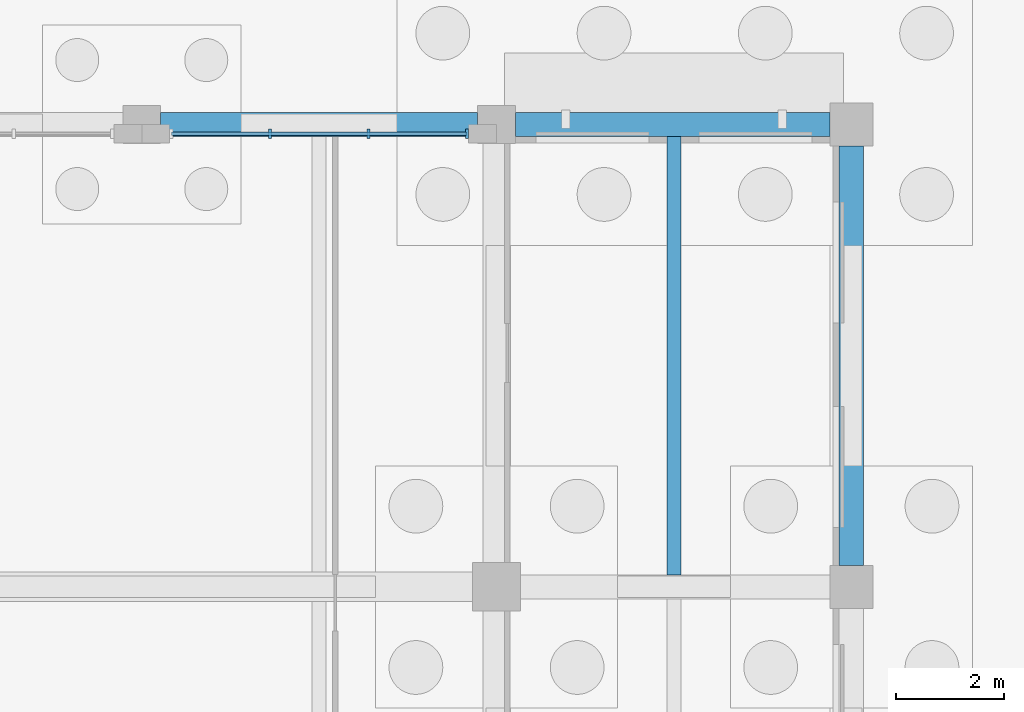
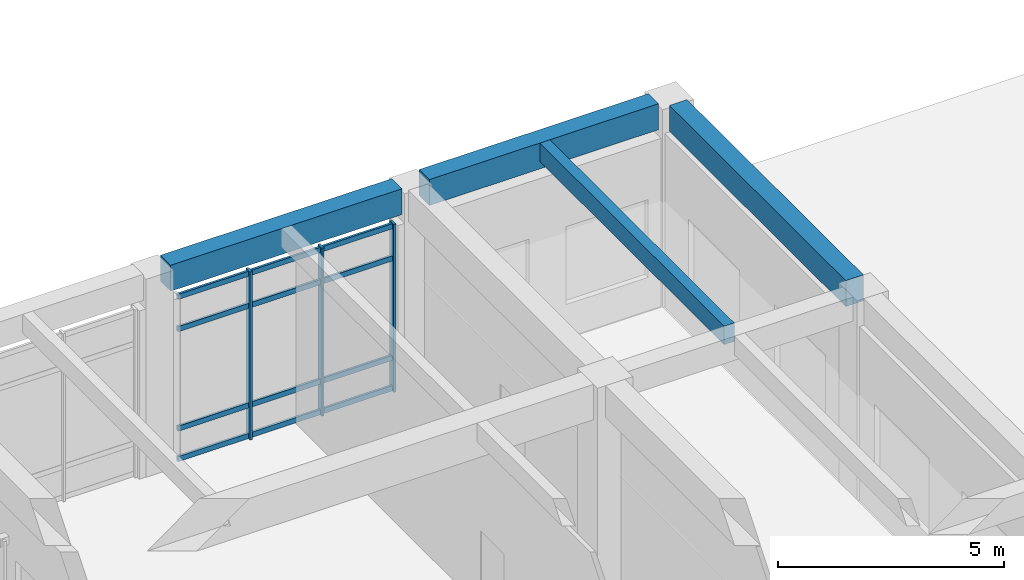
# One storey, part 39 of 82: 7 members, 4 beams, 1 element without a shape of its own.
"""IFC4 building model written with IfcOpenShell, lengths in metres."""

from ifc_helpers import new_model, si_unit, direction, frame, origin, origin_2d, place, context, subcontext, project, spatial, rectangle, extrude, material, layer, layer_set, material_profile, profile_set, type_object, element, aggregate, save


model = new_model("IFC4")

# Units and contexts
model_context = context("Model", 3, precision=1e-05, world=origin(), true_north=direction((0.0, 1.0)))
body_context = subcontext(model_context, "Body", "Model", "MODEL_VIEW")
ifc_project = project(units=[si_unit("LENGTHUNIT", "METRE"), si_unit("AREAUNIT", "SQUARE_METRE"), si_unit("VOLUMEUNIT", "CUBIC_METRE"), si_unit("PLANEANGLEUNIT", "RADIAN"), si_unit("MASSUNIT", "GRAM", prefix="KILO")], contexts=[model_context])

# Site, building, storey
site_placement = place(None, origin())
site = spatial("IfcSite", under=ifc_project, at=site_placement, CompositionType="ELEMENT")
building_placement = place(site_placement, origin())
building = spatial("IfcBuilding", under=site, at=building_placement, Name="Kolvaren Faculty of Natural Sciences", CompositionType="ELEMENT")
storey_placement = place(building_placement, origin())
storey = spatial("IfcBuildingStorey", under=building, at=storey_placement, Name="L00", CompositionType="ELEMENT", Elevation=0.0)

# Curtain wall, members
ifc_material_1 = material(Name="Thermally broken anodised aluminium framing", Category="aluminium")
ifc_layer = layer(ifc_material_1, 0.179931640625)
ifc_layer_set = layer_set([ifc_layer], Name="Thermally broken anodised aluminium framing")
curtain_wall_type = type_object("IfcCurtainWallType", Name="CommonsCurtainWall_CW02", PredefinedType="NOTDEFINED", material=ifc_layer_set)
curtain_wall_placement = place(storey_placement, origin())
curtain_wall = element("IfcCurtainWall", 1, at=curtain_wall_placement, inside=storey, type_object=curtain_wall_type, Name="L00 unitised curtain wall CW-02 (CW-L00-017)", PredefinedType="NOTDEFINED")
ifc_material_profile_1 = material_profile(ifc_material_1, rectangle(XDim=0.06005859375, YDim=0.179931640625, at=origin_2d()), Name="ALU MUL 60x180")
ifc_profile_set_1 = profile_set([ifc_material_profile_1], Name="Thermally broken anodised aluminium framing")
member_type_1 = type_object("IfcMemberType", Name="CurtainMullion_60x180", PredefinedType="MULLION", material=ifc_profile_set_1)
member_1_placement = place(storey_placement, frame((127.9833984375, 117.830078125, 0.0), z_axis=(0.0, 0.0, 1.0), x_axis=(1.0, 0.0, 0.0)))
member_1 = element("IfcMember", 2, at=member_1_placement, type_object=member_type_1, Name="CW-L00-017 vertical mullion 2", PredefinedType="MULLION", context=body_context, shape_type="SweptSolid", body=[
    extrude(rectangle(XDim=0.06005859375, YDim=0.179931640625, at=origin_2d()), origin(), (0.0, 0.0, 1.0), 4.534912109375),
])
member_2_placement = place(storey_placement, frame((129.816650390625, 117.830078125, 0.0), z_axis=(0.0, 0.0, 1.0), x_axis=(1.0, 0.0, 0.0)))
member_2 = element("IfcMember", 3, at=member_2_placement, type_object=member_type_1, Name="CW-L00-017 vertical mullion 3", PredefinedType="MULLION", context=body_context, shape_type="SweptSolid", body=[
    extrude(rectangle(XDim=0.06005859375, YDim=0.179931640625, at=origin_2d()), origin(), (0.0, 0.0, 1.0), 4.534912109375),
])
member_3_placement = place(storey_placement, frame((131.64990234375, 117.830078125, 0.0), z_axis=(0.0, 0.0, 1.0), x_axis=(1.0, 0.0, 0.0)))
member_3 = element("IfcMember", 4, at=member_3_placement, type_object=member_type_1, Name="CW-L00-017 vertical mullion 4", PredefinedType="MULLION", context=body_context, shape_type="SweptSolid", body=[
    extrude(rectangle(XDim=0.06005859375, YDim=0.179931640625, at=origin_2d()), origin(), (0.0, 0.0, 1.0), 4.534912109375),
])
ifc_material_profile_2 = material_profile(ifc_material_1, rectangle(XDim=0.06005859375, YDim=0.139892578125, at=origin_2d()), Name="ALU TRN 60x140")
ifc_profile_set_2 = profile_set([ifc_material_profile_2], Name="Thermally broken anodised aluminium framing")
member_type_2 = type_object("IfcMemberType", Name="CurtainTransom_60x140", PredefinedType="USERDEFINED", material=ifc_profile_set_2)
member_4_placement = place(storey_placement, frame((126.14990234375, 117.830078125, 0.080078125), z_axis=(1.0, 0.0, 0.0), x_axis=(0.0, 1.0, 0.0)))
member_4 = element("IfcMember", 5, at=member_4_placement, type_object=member_type_2, Name="CW-L00-017 horizontal transom 1", ObjectType="TRANSOM", PredefinedType="USERDEFINED", context=body_context, shape_type="SweptSolid", body=[
    extrude(rectangle(XDim=0.06005859375, YDim=0.139892578125, at=origin_2d()), origin(), (0.0, 0.0, 1.0), 5.5),
])
member_5_placement = place(storey_placement, frame((126.14990234375, 117.830078125, 0.89990234375), z_axis=(1.0, 0.0, 0.0), x_axis=(0.0, 1.0, 0.0)))
member_5 = element("IfcMember", 6, at=member_5_placement, type_object=member_type_2, Name="CW-L00-017 horizontal transom 2", ObjectType="TRANSOM", PredefinedType="USERDEFINED", context=body_context, shape_type="SweptSolid", body=[
    extrude(rectangle(XDim=0.06005859375, YDim=0.139892578125, at=origin_2d()), origin(), (0.0, 0.0, 1.0), 5.5),
])
member_6_placement = place(storey_placement, frame((126.14990234375, 117.830078125, 3.5849609375), z_axis=(1.0, 0.0, 0.0), x_axis=(0.0, 1.0, 0.0)))
member_6 = element("IfcMember", 7, at=member_6_placement, type_object=member_type_2, Name="CW-L00-017 horizontal transom 3", ObjectType="TRANSOM", PredefinedType="USERDEFINED", context=body_context, shape_type="SweptSolid", body=[
    extrude(rectangle(XDim=0.06005859375, YDim=0.139892578125, at=origin_2d()), origin(), (0.0, 0.0, 1.0), 5.5),
])
member_7_placement = place(storey_placement, frame((126.14990234375, 117.830078125, 4.455078125), z_axis=(1.0, 0.0, 0.0), x_axis=(0.0, 1.0, 0.0)))
member_7 = element("IfcMember", 8, at=member_7_placement, type_object=member_type_2, Name="CW-L00-017 horizontal transom 4", ObjectType="TRANSOM", PredefinedType="USERDEFINED", context=body_context, shape_type="SweptSolid", body=[
    extrude(rectangle(XDim=0.06005859375, YDim=0.139892578125, at=origin_2d()), origin(), (0.0, 0.0, 1.0), 5.5),
])
aggregate(curtain_wall, [member_1, member_2, member_3, member_4, member_5, member_6, member_7])

# Beams
ifc_material_2 = material(Name="Concrete C35/45", Category="concrete")
ifc_material_profile_3 = material_profile(ifc_material_2, rectangle(XDim=0.260009765625, YDim=0.5, at=origin_2d()), Name="RC JST 260x500")
ifc_profile_set_3 = profile_set([ifc_material_profile_3], Name="Concrete C35/45")
beam_type_1 = type_object("IfcBeamType", Name="LabRibJoist_260x500", PredefinedType="JOIST", material=ifc_profile_set_3)
beam_1_placement = place(storey_placement, frame((135.5, 109.625, 5.14990234375), z_axis=(0.0, 1.0, 0.0), x_axis=(-1.0, 0.0, 0.0)))
element("IfcBeam", 9, at=beam_1_placement, inside=storey, type_object=beam_type_1, Name="L00 ribbed laboratory slab joist JS-50", PredefinedType="JOIST", context=body_context, shape_type="SweptSolid", body=[
    extrude(rectangle(XDim=0.260009765625, YDim=0.5, at=origin_2d()), origin(), (0.0, 0.0, 1.0), 8.14990234375),
])
ifc_material_profile_4 = material_profile(ifc_material_2, rectangle(XDim=0.449951171875, YDim=0.699951171875, at=origin_2d()), Name="RC SP 450x700")
ifc_profile_set_4 = profile_set([ifc_material_profile_4], Name="Concrete C35/45")
beam_type_2 = type_object("IfcBeamType", Name="PerimeterSpandrel_450x700", PredefinedType="SPANDREL", material=ifc_profile_set_4)
beam_2_placement = place(storey_placement, frame((125.949951171875, 118.0, 5.050048828125), z_axis=(1.0, 0.0, 0.0), x_axis=(0.0, 1.0, 0.0)))
element("IfcBeam", 10, at=beam_2_placement, inside=storey, type_object=beam_type_2, Name="L00 spandrel SP-70 on grid Q", PredefinedType="SPANDREL", context=body_context, shape_type="SweptSolid", body=[
    extrude(rectangle(XDim=0.449951171875, YDim=0.699951171875, at=origin_2d()), origin(), (0.0, 0.0, 1.0), 5.900146484375),
])
beam_3_placement = place(storey_placement, frame((132.550048828125, 118.0, 5.050048828125), z_axis=(1.0, 0.0, 0.0), x_axis=(0.0, 1.0, 0.0)))
element("IfcBeam", 11, at=beam_3_placement, inside=storey, type_object=beam_type_2, Name="L00 spandrel SP-70 on grid Q", PredefinedType="SPANDREL", context=body_context, shape_type="SweptSolid", body=[
    extrude(rectangle(XDim=0.449951171875, YDim=0.699951171875, at=origin_2d()), origin(), (0.0, 0.0, 1.0), 5.849853515625),
])
beam_4_placement = place(storey_placement, frame((138.800048828125, 109.800048828125, 5.050048828125), z_axis=(0.0, 1.0, 0.0), x_axis=(-1.0, 0.0, 0.0)))
element("IfcBeam", 12, at=beam_4_placement, inside=storey, type_object=beam_type_2, Name="L00 girder SP-70 on grid 22", PredefinedType="SPANDREL", context=body_context, shape_type="SweptSolid", body=[
    extrude(rectangle(XDim=0.449951171875, YDim=0.699951171875, at=origin_2d()), origin(), (0.0, 0.0, 1.0), 7.800048828125),
])

save(model, "model.ifc")
